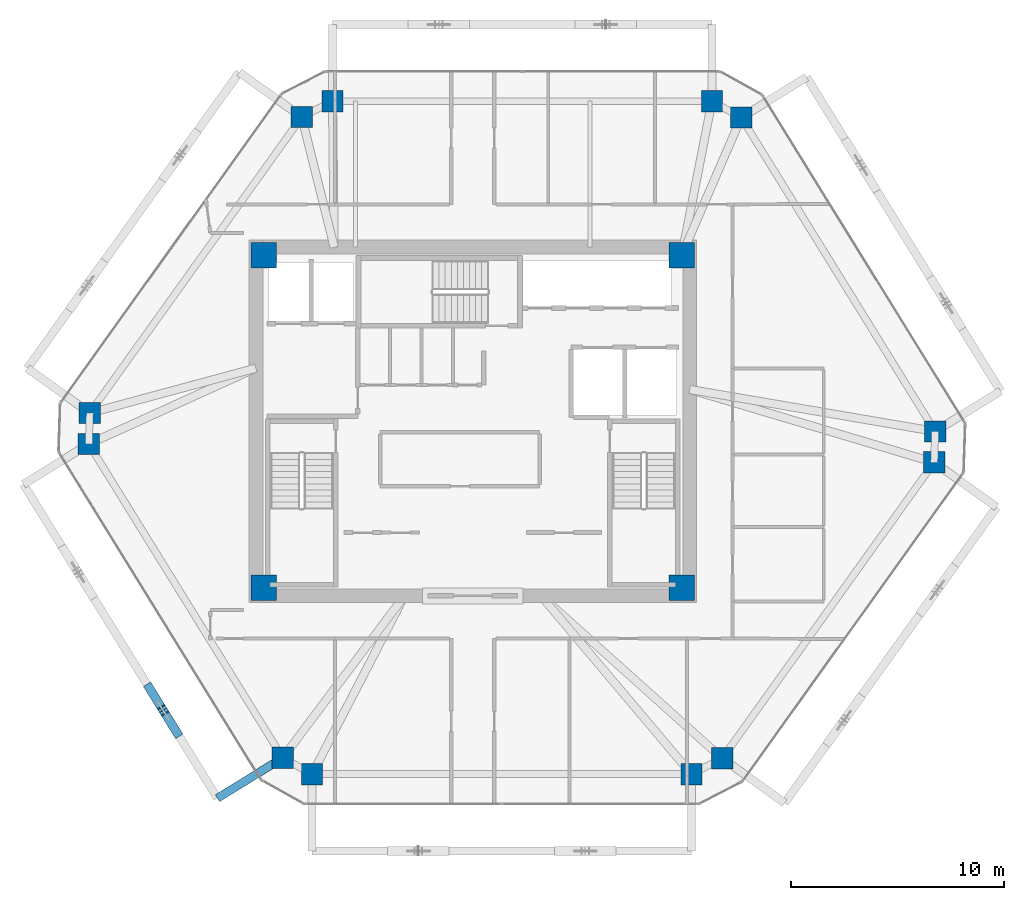
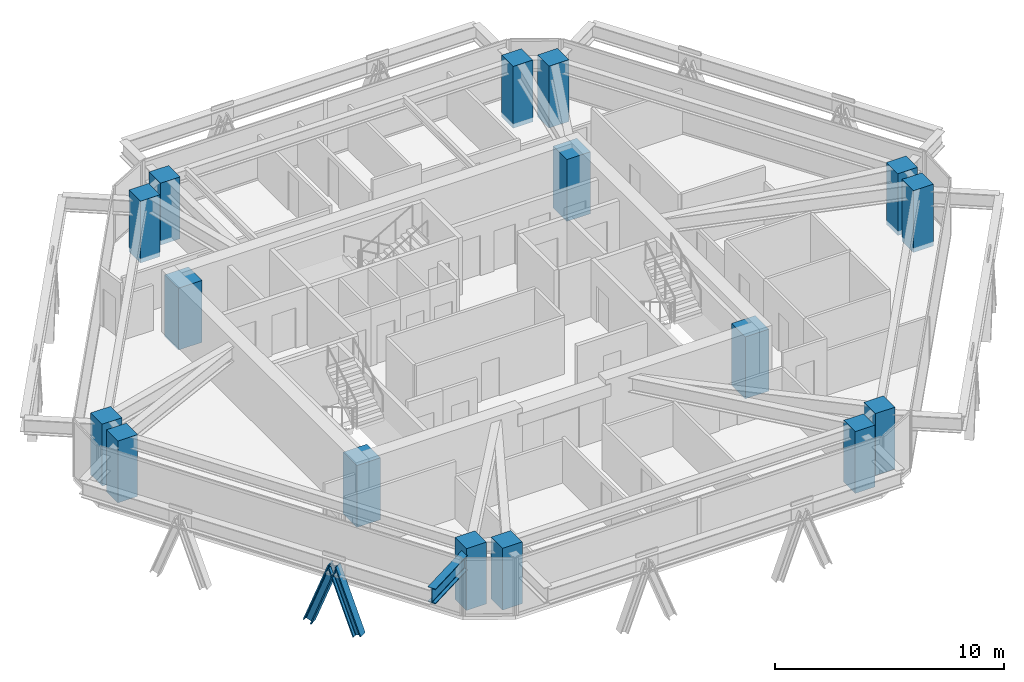
# One storey, part 1 of 14: 16 columns, 2 members, 1 beam.
"""IFC4 building model written with IfcOpenShell, lengths in metres."""

from ifc_helpers import new_model, si_unit, direction, frame, origin, origin_2d, place, context, subcontext, project, spatial, rectangle, i_section, extrude, source, transform, mapped, material, material_profile, profile_set, type_object, type_shapes, element, save


model = new_model("IFC4")

# Units and contexts
model_context = context("Model", 3, precision=1e-05, world=origin(), true_north=direction((0.0, 1.0)))
body_context = subcontext(model_context, "Body", "Model", "MODEL_VIEW")
ifc_project = project(units=[si_unit("LENGTHUNIT", "METRE"), si_unit("AREAUNIT", "SQUARE_METRE"), si_unit("VOLUMEUNIT", "CUBIC_METRE"), si_unit("PLANEANGLEUNIT", "RADIAN"), si_unit("MASSUNIT", "GRAM", prefix="KILO")], contexts=[model_context])

# Site, building, storey
site_placement = place(None, origin())
site = spatial("IfcSite", under=ifc_project, at=site_placement, CompositionType="ELEMENT")
building_placement = place(site_placement, origin())
building = spatial("IfcBuilding", under=site, at=building_placement, Name="Durnholm Broadcast Tower", CompositionType="ELEMENT")
storey_placement = place(building_placement, frame((0.0, 0.0, 180.39990234375)))
storey = spatial("IfcBuildingStorey", under=building, at=storey_placement, Name="L49", CompositionType="ELEMENT", Elevation=180.39990234375)

# Columns
ifc_material_1 = material(Name="Concrete C70/85", Category="concrete")
ifc_material_profile_1 = material_profile(ifc_material_1, rectangle(XDim=1.199951171875, YDim=1.199951171875, at=origin_2d()), Name="RC1200X1200")
ifc_profile_set_1 = profile_set([ifc_material_profile_1], Name="Concrete C70/85")
column_type_1 = type_object("IfcColumnType", Name="COL-CC-1200", PredefinedType="COLUMN", material=ifc_profile_set_1)
shared_shape_1 = source(origin(), body_context, "Body", "SweptSolid", [
    extrude(rectangle(XDim=1.199951171875, YDim=1.199951171875, at=origin_2d()), origin(), (0.0, 0.0, 1.0), 3.300048828125),
])
type_shapes(column_type_1, [shared_shape_1])
for number, where, z_axis, x_axis, name in (
    (1, (-9.800048828125, -7.800048828125, -0.239990234375), (0.0, 0.0, 1.0), (1.0, 0.0, 0.0), "L49 core corner column 1"),
    (2, (9.800048828125, -7.800048828125, -0.239990234375), (0.0, 0.0, 1.0), (1.0, 0.0, 0.0), "L49 core corner column 2"),
    (3, (9.800048828125, 7.800048828125, -0.239990234375), (0.0, 0.0, 1.0), (1.0, 0.0, 0.0), "L49 core corner column 3"),
    (4, (-9.800048828125, 7.800048828125, -0.239990234375), (0.0, 0.0, 1.0), (1.0, 0.0, 0.0), "L49 core corner column 4"),
):
    element("IfcColumn", number, at=place(storey_placement, frame(where, z_axis=z_axis, x_axis=x_axis)), inside=storey, type_object=column_type_1, Name=name, PredefinedType="COLUMN", context=body_context, shape_type="MappedRepresentation", body=[
        mapped(shared_shape_1, transform((0.0, 0.0, 0.0), x_axis=(1.0, 0.0, 0.0), y_axis=(0.0, 1.0, 0.0), z_axis=(0.0, 0.0, 1.0), scale=1.0)),
    ])
ifc_material_profile_2 = material_profile(ifc_material_1, rectangle(XDim=1.0, YDim=1.0, at=origin_2d()), Name="RC1000X1000")
ifc_profile_set_2 = profile_set([ifc_material_profile_2], Name="Concrete C70/85")
column_type_2 = type_object("IfcColumnType", Name="COL-CC-1000", PredefinedType="COLUMN", material=ifc_profile_set_2)
shared_shape_2 = source(origin(), body_context, "Body", "SweptSolid", [
    extrude(rectangle(XDim=1.0, YDim=1.0, at=origin_2d()), origin(), (0.0, 0.0, 1.0), 3.300048828125),
])
type_shapes(column_type_2, [shared_shape_2])
for number, where, z_axis, x_axis, name in (
    (5, (-8.91259765625, -15.7763671875, -0.239990234375), (0.0, 0.0, 1.0), (1.0, 0.0, 0.0), "L49 perimeter hexagonal tube column 01"),
    (6, (-18.009033203125, -1.056640625, -0.239990234375), (0.0, 0.0, 1.0), (1.0, 0.0, 0.0), "L49 perimeter hexagonal tube column 02"),
    (7, (-17.9599609375, 0.3955078125, -0.239990234375), (0.0, 0.0, 1.0), (1.0, 0.0, 0.0), "L49 perimeter hexagonal tube column 03"),
    (8, (-8.021728515625, 14.2763671875, -0.239990234375), (0.0, 0.0, 1.0), (1.0, 0.0, 0.0), "L49 perimeter hexagonal tube column 04"),
    (9, (-6.57861328125, 15.01806640625, -0.239990234375), (0.0, 0.0, 1.0), (1.0, 0.0, 0.0), "L49 perimeter hexagonal tube column 05"),
    (10, (11.217529296875, 15.01806640625, -0.239990234375), (0.0, 0.0, 1.0), (1.0, 0.0, 0.0), "L49 perimeter hexagonal tube column 06"),
    (11, (12.5908203125, 14.252197265625, -0.239990234375), (0.0, 0.0, 1.0), (1.0, 0.0, 0.0), "L49 perimeter hexagonal tube column 07"),
    (12, (21.68701171875, -0.46728515625, -0.239990234375), (0.0, 0.0, 1.0), (1.0, 0.0, 0.0), "L49 perimeter hexagonal tube column 08"),
    (13, (21.637939453125, -1.919677734375, -0.239990234375), (0.0, 0.0, 1.0), (1.0, 0.0, 0.0), "L49 perimeter hexagonal tube column 09"),
    (14, (11.69970703125, -15.80029296875, -0.239990234375), (0.0, 0.0, 1.0), (1.0, 0.0, 0.0), "L49 perimeter hexagonal tube column 10"),
    (15, (10.256591796875, -16.5419921875, -0.239990234375), (0.0, 0.0, 1.0), (1.0, 0.0, 0.0), "L49 perimeter hexagonal tube column 11"),
    (16, (-7.53955078125, -16.5419921875, -0.239990234375), (0.0, 0.0, 1.0), (1.0, 0.0, 0.0), "L49 perimeter hexagonal tube column 12"),
):
    element("IfcColumn", number, at=place(storey_placement, frame(where, z_axis=z_axis, x_axis=x_axis)), inside=storey, type_object=column_type_2, Name=name, PredefinedType="COLUMN", context=body_context, shape_type="MappedRepresentation", body=[
        mapped(shared_shape_2, transform((0.0, 0.0, 0.0), x_axis=(1.0, 0.0, 0.0), y_axis=(0.0, 1.0, 0.0), z_axis=(0.0, 0.0, 1.0), scale=1.0)),
    ])

# Beam
ifc_material_2 = material(Name="Steel ASTM A992 Grade 50", Category="steel")
ifc_material_profile_3 = material_profile(ifc_material_2, i_section(OverallWidth=0.385009765625, OverallDepth=0.802978515625, WebThickness=0.023681640625, FlangeThickness=0.0419921875, FilletRadius=0.032958984375, at=origin_2d()), Name="W30X261")
ifc_profile_set_3 = profile_set([ifc_material_profile_3], Name="Steel ASTM A992 Grade 50")
beam_type = type_object("IfcBeamType", Name="BM-EXO-TIE", PredefinedType="USERDEFINED", material=ifc_profile_set_3)
shared_shape_3 = source(origin(), body_context, "Body", "SweptSolid", [
    extrude(i_section(OverallWidth=0.385009765625, OverallDepth=0.802978515625, WebThickness=0.023681640625, FlangeThickness=0.0419921875, FilletRadius=0.032958984375, at=origin_2d()), origin(), (0.0, 0.0, 1.0), 3.4560546875),
])
type_shapes(beam_type, [shared_shape_3])
beam_placement = place(storey_placement, frame((-9.03515625, -15.85205078125, 2.30859375), z_axis=(-0.850693939061, -0.525661318764, 0.0), x_axis=(0.525661318764, -0.850693939061, 0.0)))
element("IfcBeam", 17, at=beam_placement, inside=storey, type_object=beam_type, Name="L49 exoskeleton stand-off tie bracket F6.2", ObjectType="GIRDER", PredefinedType="USERDEFINED", context=body_context, shape_type="MappedRepresentation", body=[
    mapped(shared_shape_3, transform((0.0, 0.0, 0.0), x_axis=(1.0, 0.0, 0.0), y_axis=(0.0, 1.0, 0.0), z_axis=(0.0, 0.0, 1.0), scale=1.0)),
])

# Members
ifc_material_3 = material(Name="Steel ASTM A913 Grade 65", Category="steel")
ifc_material_profile_4 = material_profile(ifc_material_3, i_section(OverallWidth=0.412109375, OverallDepth=0.434814453125, WebThickness=0.035888671875, FlangeThickness=0.057373046875, FilletRadius=0.030517578125, at=origin_2d()), Name="W14X311")
ifc_profile_set_4 = profile_set([ifc_material_profile_4], Name="Steel ASTM A913 Grade 65")
member_type = type_object("IfcMemberType", Name="STL-DG-W14X311", PredefinedType="BRACE", material=ifc_profile_set_4)
shared_shape_4 = source(origin(), body_context, "Body", "SweptSolid", [
    extrude(i_section(OverallWidth=0.412109375, OverallDepth=0.434814453125, WebThickness=0.035888671875, FlangeThickness=0.057373046875, FilletRadius=0.030517578125, at=origin_2d()), origin(), (0.0, 0.0, 1.0), 3.523193359375),
])
type_shapes(member_type, [shared_shape_4])
for number, where, z_axis, x_axis, name in (
    (18, (-15.170654296875, -12.497802734375, -0.991455078125), (0.184052089489, -0.297906601172, 0.936683770188), (0.850732935913, 0.525598203719, 0.0), "L49 stand-off diagrid brace F6.D2.1"),
    (19, (-13.87353515625, -14.596923828125, -0.991455078125), (-0.18411903749, 0.297902800967, 0.936671821509), (-0.850644447398, -0.525741404219, 0.0), "L49 stand-off diagrid brace F6.D2.2"),
):
    element("IfcMember", number, at=place(storey_placement, frame(where, z_axis=z_axis, x_axis=x_axis)), inside=storey, type_object=member_type, Name=name, PredefinedType="BRACE", context=body_context, shape_type="MappedRepresentation", body=[
        mapped(shared_shape_4, transform((0.0, 0.0, 0.0), x_axis=(1.0, 0.0, 0.0), y_axis=(0.0, 1.0, 0.0), z_axis=(0.0, 0.0, 1.0), scale=1.0)),
    ])

save(model, "model.ifc")
